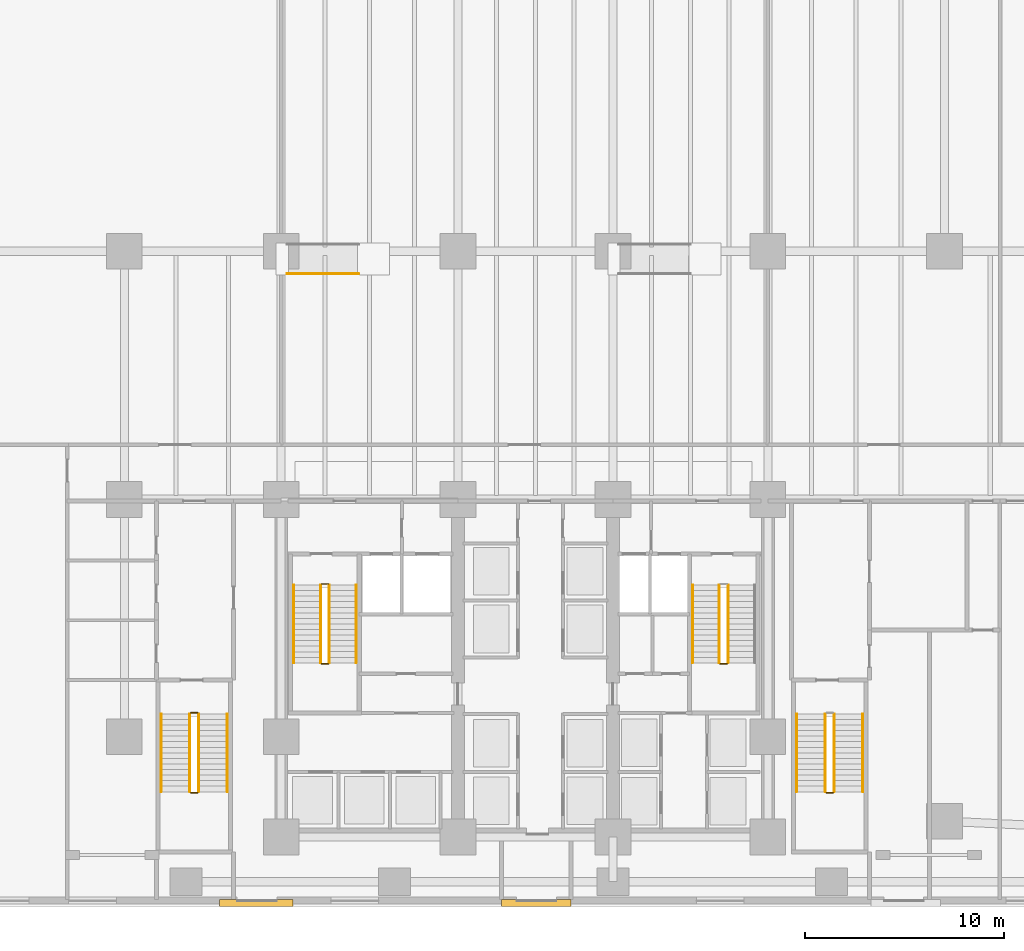
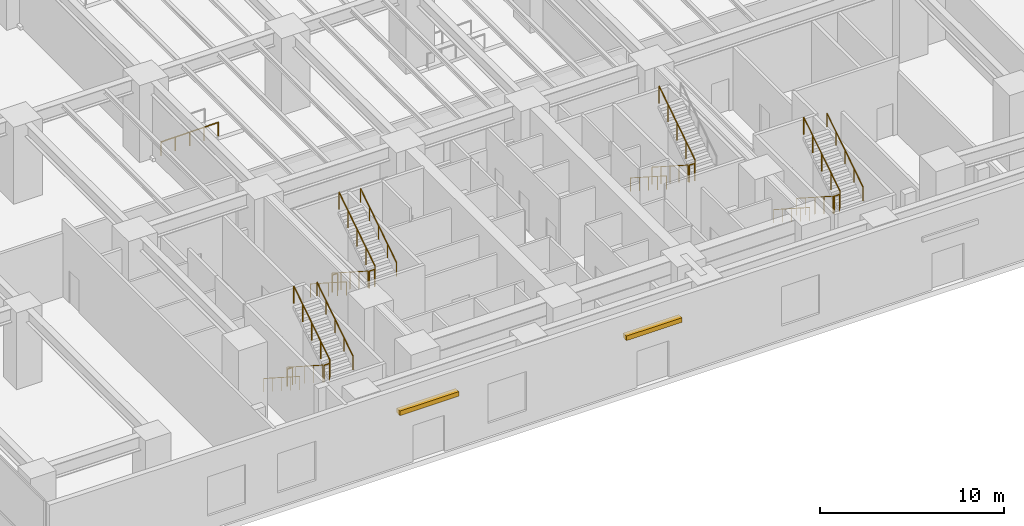
# One storey, part 16 of 19: 22 railings, 2 shading devices.
"""IFC4 building model written with IfcOpenShell, lengths in metres."""

from ifc_helpers import new_model, si_unit, direction, frame, origin, origin_2d, place, context, subcontext, project, spatial, polyline, circle, outline, extrude, material, layer, layer_set, type_object, element, save


model = new_model("IFC4")

# Units and contexts
model_context = context("Model", 3, precision=1e-05, world=origin(), true_north=direction((0.0, 1.0)))
body_context = subcontext(model_context, "Body", "Model", "MODEL_VIEW")
ifc_project = project(units=[si_unit("LENGTHUNIT", "METRE"), si_unit("AREAUNIT", "SQUARE_METRE"), si_unit("VOLUMEUNIT", "CUBIC_METRE"), si_unit("PLANEANGLEUNIT", "RADIAN"), si_unit("MASSUNIT", "GRAM", prefix="KILO")], contexts=[model_context])

# Site, building, storey
site_placement = place(None, origin())
site = spatial("IfcSite", under=ifc_project, at=site_placement, CompositionType="ELEMENT")
building_placement = place(site_placement, origin())
building = spatial("IfcBuilding", under=site, at=building_placement, Name="Qalmaran Belvedere Hotel", CompositionType="ELEMENT")
storey_placement = place(building_placement, origin())
storey = spatial("IfcBuildingStorey", under=building, at=storey_placement, Name="L00", CompositionType="ELEMENT", Elevation=0.0)

# Shading devices
ifc_material_1 = material(Name="Anodised Bronze Aluminium", Category="aluminium")
ifc_layer = layer(ifc_material_1, 0.300048828125, Name="Anodised Bronze Aluminium")
ifc_layer_set = layer_set([ifc_layer], Name="Anodised Bronze Aluminium")
shading_device_type = type_object("IfcShadingDeviceType", Name="CNPY-BRNZ-320", PredefinedType="USERDEFINED", material=ifc_layer_set)
shading_device_1_placement = place(storey_placement, frame((0.0, 0.0, 3.449951171875)))
element("IfcShadingDevice", 1, at=shading_device_1_placement, inside=storey, type_object=shading_device_type, Name="L00 Entrance Canopy 4", ObjectType="CANOPY", PredefinedType="USERDEFINED", context=body_context, shape_type="SweptSolid", body=[
    extrude(outline(polyline([(17.199951171875, 0.0), (20.89990234375, 0.0), (20.89990234375, 0.35009765625), (17.199951171875, 0.35009765625), (17.199951171875, 0.0)])), origin(), (0.0, 0.0, 1.0), 0.300048828125),
])
shading_device_2_placement = place(storey_placement, frame((0.0, 0.0, 3.449951171875)))
element("IfcShadingDevice", 2, at=shading_device_2_placement, inside=storey, type_object=shading_device_type, Name="L00 Entrance Canopy 5", ObjectType="CANOPY", PredefinedType="USERDEFINED", context=body_context, shape_type="SweptSolid", body=[
    extrude(outline(polyline([(31.39990234375, 0.0), (34.89990234375, 0.0), (34.89990234375, 0.35009765625), (31.39990234375, 0.35009765625), (31.39990234375, 0.0)])), origin(), (0.0, 0.0, 1.0), 0.300048828125),
])

# Railings
railing_type_1 = type_object("IfcRailingType", Name="RLG-RAMP-HAND-920", PredefinedType="HANDRAIL", material=ifc_material_1)
railing_1_placement = place(storey_placement, frame((20.60009765625, 31.860107421875, 0.199951171875)))
element("IfcRailing", 3, at=railing_1_placement, inside=storey, type_object=railing_type_1, Name="L00 Ramp Handrail S", PredefinedType="HANDRAIL", context=body_context, shape_type="SweptSolid", body=[
    extrude(circle(Radius=0.02392578125, at=origin_2d()), frame((0.0, 0.0, 0.89599609375), z_axis=(0.999938151687, 0.0, 0.011121726475), x_axis=(0.0, 1.0, 0.0)), (0.0, 0.0, 1.0), 3.60009765625),
    extrude(circle(Radius=0.02099609375, at=origin_2d()), origin(), (0.0, 0.0, 1.0), 0.871826171875),
    extrude(circle(Radius=0.02099609375, at=origin_2d()), frame((0.89990234375, 0.0, 0.010009765625)), (0.0, 0.0, 1.0), 0.871826171875),
    extrude(circle(Radius=0.02099609375, at=origin_2d()), frame((1.7998046875, 0.0, 0.02001953125)), (0.0, 0.0, 1.0), 0.871826171875),
    extrude(circle(Radius=0.02099609375, at=origin_2d()), frame((2.699951171875, 0.0, 0.030029296875)), (0.0, 0.0, 1.0), 0.871826171875),
    extrude(circle(Radius=0.02099609375, at=origin_2d()), frame((3.599853515625, 0.0, 0.0400390625)), (0.0, 0.0, 1.0), 0.871826171875),
])
ifc_material_2 = material(Name="Stainless Steel 1.4401", Category="steel")
railing_type_2 = type_object("IfcRailingType", Name="RLG-STAIR-GUARD-1150", PredefinedType="GUARDRAIL", material=ifc_material_2)
railing_2_placement = place(storey_placement, frame((22.280029296875, 16.18994140625, 0.179931640625)))
element("IfcRailing", 4, at=railing_2_placement, inside=storey, type_object=railing_type_2, Name="L00 ST-1 stair guard 1", PredefinedType="GUARDRAIL", context=body_context, shape_type="SweptSolid", body=[
    extrude(circle(Radius=0.02392578125, at=origin_2d()), frame((0.0, 0.0, 1.1259765625), z_axis=(0.0, -0.841171666519, 0.540768182723), x_axis=(1.0, 0.0, 0.0)), (0.0, 0.0, 1.0), 4.66015625),
    extrude(circle(Radius=0.02099609375, at=origin_2d()), origin(), (0.0, 0.0, 1.0), 1.101806640625),
    extrude(circle(Radius=0.02099609375, at=origin_2d()), frame((0.0, -0.97998046875, 0.6298828125)), (0.0, 0.0, 1.0), 1.101806640625),
    extrude(circle(Radius=0.02099609375, at=origin_2d()), frame((0.0, -1.9599609375, 1.260009765625)), (0.0, 0.0, 1.0), 1.101806640625),
    extrude(circle(Radius=0.02099609375, at=origin_2d()), frame((0.0, -2.93994140625, 1.89013671875)), (0.0, 0.0, 1.0), 1.101806640625),
    extrude(circle(Radius=0.02099609375, at=origin_2d()), frame((0.0, -3.919921875, 2.52001953125)), (0.0, 0.0, 1.0), 1.101806640625),
])
railing_3_placement = place(storey_placement, frame((22.330078125, 12.219970703125, 2.699951171875)))
element("IfcRailing", 5, at=railing_3_placement, inside=storey, type_object=railing_type_2, Name="L00 ST-1 stair guard 2", PredefinedType="GUARDRAIL", context=body_context, shape_type="SweptSolid", body=[
    extrude(circle(Radius=0.02392578125, at=origin_2d()), frame((0.0, 0.0, 1.1259765625), z_axis=(1.0, 0.0, 0.0), x_axis=(0.0, 1.0, 0.0)), (0.0, 0.0, 1.0), 0.33984375),
    extrude(circle(Radius=0.02099609375, at=origin_2d()), origin(), (0.0, 0.0, 1.0), 1.101806640625),
    extrude(circle(Radius=0.02099609375, at=origin_2d()), frame((0.33984375, 0.0, 0.0)), (0.0, 0.0, 1.0), 1.101806640625),
])
railing_4_placement = place(storey_placement, frame((22.719970703125, 12.27001953125, 2.8798828125)))
element("IfcRailing", 6, at=railing_4_placement, inside=storey, type_object=railing_type_2, Name="L00 ST-1 stair guard 3", PredefinedType="GUARDRAIL", context=body_context, shape_type="SweptSolid", body=[
    extrude(circle(Radius=0.02392578125, at=origin_2d()), frame((0.0, 0.0, 1.1259765625), z_axis=(0.0, 0.841171666519, 0.540768182723), x_axis=(-1.0, 0.0, 0.0)), (0.0, 0.0, 1.0), 4.66015625),
    extrude(circle(Radius=0.02099609375, at=origin_2d()), origin(), (0.0, 0.0, 1.0), 1.101806640625),
    extrude(circle(Radius=0.02099609375, at=origin_2d()), frame((0.0, 0.97998046875, 0.6298828125)), (0.0, 0.0, 1.0), 1.101806640625),
    extrude(circle(Radius=0.02099609375, at=origin_2d()), frame((0.0, 1.9599609375, 1.260009765625)), (0.0, 0.0, 1.0), 1.101806640625),
    extrude(circle(Radius=0.02099609375, at=origin_2d()), frame((0.0, 2.93994140625, 1.89013671875)), (0.0, 0.0, 1.0), 1.101806640625),
    extrude(circle(Radius=0.02099609375, at=origin_2d()), frame((0.0, 3.919921875, 2.52001953125)), (0.0, 0.0, 1.0), 1.101806640625),
])
railing_5_placement = place(storey_placement, frame((22.330078125, 16.239990234375, 0.0)))
element("IfcRailing", 7, at=railing_5_placement, inside=storey, type_object=railing_type_2, Name="L00 ST-1 stair guard 4", PredefinedType="GUARDRAIL", context=body_context, shape_type="SweptSolid", body=[
    extrude(circle(Radius=0.02392578125, at=origin_2d()), frame((0.0, 0.0, 1.1259765625), z_axis=(1.0, 0.0, 0.0), x_axis=(0.0, 1.0, 0.0)), (0.0, 0.0, 1.0), 0.33984375),
    extrude(circle(Radius=0.02099609375, at=origin_2d()), origin(), (0.0, 0.0, 1.0), 1.101806640625),
    extrude(circle(Radius=0.02099609375, at=origin_2d()), frame((0.33984375, 0.0, 0.0)), (0.0, 0.0, 1.0), 1.101806640625),
])
railing_6_placement = place(storey_placement, frame((42.360107421875, 16.18994140625, 0.179931640625)))
element("IfcRailing", 8, at=railing_6_placement, inside=storey, type_object=railing_type_2, Name="L00 ST-2 stair guard 1", PredefinedType="GUARDRAIL", context=body_context, shape_type="SweptSolid", body=[
    extrude(circle(Radius=0.02392578125, at=origin_2d()), frame((0.0, 0.0, 1.1259765625), z_axis=(0.0, -0.841171666519, 0.540768182723), x_axis=(1.0, 0.0, 0.0)), (0.0, 0.0, 1.0), 4.66015625),
    extrude(circle(Radius=0.02099609375, at=origin_2d()), origin(), (0.0, 0.0, 1.0), 1.101806640625),
    extrude(circle(Radius=0.02099609375, at=origin_2d()), frame((0.0, -0.97998046875, 0.6298828125)), (0.0, 0.0, 1.0), 1.101806640625),
    extrude(circle(Radius=0.02099609375, at=origin_2d()), frame((0.0, -1.9599609375, 1.260009765625)), (0.0, 0.0, 1.0), 1.101806640625),
    extrude(circle(Radius=0.02099609375, at=origin_2d()), frame((0.0, -2.93994140625, 1.89013671875)), (0.0, 0.0, 1.0), 1.101806640625),
    extrude(circle(Radius=0.02099609375, at=origin_2d()), frame((0.0, -3.919921875, 2.52001953125)), (0.0, 0.0, 1.0), 1.101806640625),
])
railing_7_placement = place(storey_placement, frame((42.409912109375, 12.219970703125, 2.699951171875)))
element("IfcRailing", 9, at=railing_7_placement, inside=storey, type_object=railing_type_2, Name="L00 ST-2 stair guard 2", PredefinedType="GUARDRAIL", context=body_context, shape_type="SweptSolid", body=[
    extrude(circle(Radius=0.02392578125, at=origin_2d()), frame((0.0, 0.0, 1.1259765625), z_axis=(1.0, 0.0, 0.0), x_axis=(0.0, 1.0, 0.0)), (0.0, 0.0, 1.0), 0.340087890625),
    extrude(circle(Radius=0.02099609375, at=origin_2d()), origin(), (0.0, 0.0, 1.0), 1.101806640625),
    extrude(circle(Radius=0.02099609375, at=origin_2d()), frame((0.340087890625, 0.0, 0.0)), (0.0, 0.0, 1.0), 1.101806640625),
])
railing_8_placement = place(storey_placement, frame((42.800048828125, 12.27001953125, 2.8798828125)))
element("IfcRailing", 10, at=railing_8_placement, inside=storey, type_object=railing_type_2, Name="L00 ST-2 stair guard 3", PredefinedType="GUARDRAIL", context=body_context, shape_type="SweptSolid", body=[
    extrude(circle(Radius=0.02392578125, at=origin_2d()), frame((0.0, 0.0, 1.1259765625), z_axis=(0.0, 0.841171666519, 0.540768182723), x_axis=(-1.0, 0.0, 0.0)), (0.0, 0.0, 1.0), 4.66015625),
    extrude(circle(Radius=0.02099609375, at=origin_2d()), origin(), (0.0, 0.0, 1.0), 1.101806640625),
    extrude(circle(Radius=0.02099609375, at=origin_2d()), frame((0.0, 0.97998046875, 0.6298828125)), (0.0, 0.0, 1.0), 1.101806640625),
    extrude(circle(Radius=0.02099609375, at=origin_2d()), frame((0.0, 1.9599609375, 1.260009765625)), (0.0, 0.0, 1.0), 1.101806640625),
    extrude(circle(Radius=0.02099609375, at=origin_2d()), frame((0.0, 2.93994140625, 1.89013671875)), (0.0, 0.0, 1.0), 1.101806640625),
    extrude(circle(Radius=0.02099609375, at=origin_2d()), frame((0.0, 3.919921875, 2.52001953125)), (0.0, 0.0, 1.0), 1.101806640625),
])
railing_9_placement = place(storey_placement, frame((15.699951171875, 9.699951171875, 0.179931640625)))
element("IfcRailing", 11, at=railing_9_placement, inside=storey, type_object=railing_type_2, Name="L00 ST-P1 stair guard 1", PredefinedType="GUARDRAIL", context=body_context, shape_type="SweptSolid", body=[
    extrude(circle(Radius=0.02392578125, at=origin_2d()), frame((0.0, 0.0, 1.1259765625), z_axis=(0.0, -0.841171666519, 0.540768182723), x_axis=(1.0, 0.0, 0.0)), (0.0, 0.0, 1.0), 4.66015625),
    extrude(circle(Radius=0.02099609375, at=origin_2d()), origin(), (0.0, 0.0, 1.0), 1.101806640625),
    extrude(circle(Radius=0.02099609375, at=origin_2d()), frame((0.0, -0.97998046875, 0.6298828125)), (0.0, 0.0, 1.0), 1.101806640625),
    extrude(circle(Radius=0.02099609375, at=origin_2d()), frame((0.0, -1.9599609375, 1.260009765625)), (0.0, 0.0, 1.0), 1.101806640625),
    extrude(circle(Radius=0.02099609375, at=origin_2d()), frame((0.0, -2.93994140625, 1.89013671875)), (0.0, 0.0, 1.0), 1.101806640625),
    extrude(circle(Radius=0.02099609375, at=origin_2d()), frame((0.0, -3.919921875, 2.52001953125)), (0.0, 0.0, 1.0), 1.101806640625),
])
railing_10_placement = place(storey_placement, frame((15.75, 5.72998046875, 2.699951171875)))
element("IfcRailing", 12, at=railing_10_placement, inside=storey, type_object=railing_type_2, Name="L00 ST-P1 stair guard 2", PredefinedType="GUARDRAIL", context=body_context, shape_type="SweptSolid", body=[
    extrude(circle(Radius=0.02392578125, at=origin_2d()), frame((0.0, 0.0, 1.1259765625), z_axis=(1.0, 0.0, 0.0), x_axis=(0.0, 1.0, 0.0)), (0.0, 0.0, 1.0), 0.340087890625),
    extrude(circle(Radius=0.02099609375, at=origin_2d()), origin(), (0.0, 0.0, 1.0), 1.101806640625),
    extrude(circle(Radius=0.02099609375, at=origin_2d()), frame((0.340087890625, 0.0, 0.0)), (0.0, 0.0, 1.0), 1.101806640625),
])
railing_11_placement = place(storey_placement, frame((16.139892578125, 5.780029296875, 2.8798828125)))
element("IfcRailing", 13, at=railing_11_placement, inside=storey, type_object=railing_type_2, Name="L00 ST-P1 stair guard 3", PredefinedType="GUARDRAIL", context=body_context, shape_type="SweptSolid", body=[
    extrude(circle(Radius=0.02392578125, at=origin_2d()), frame((0.0, 0.0, 1.1259765625), z_axis=(0.0, 0.841171666519, 0.540768182723), x_axis=(-1.0, 0.0, 0.0)), (0.0, 0.0, 1.0), 4.66015625),
    extrude(circle(Radius=0.02099609375, at=origin_2d()), origin(), (0.0, 0.0, 1.0), 1.101806640625),
    extrude(circle(Radius=0.02099609375, at=origin_2d()), frame((0.0, 0.97998046875, 0.6298828125)), (0.0, 0.0, 1.0), 1.101806640625),
    extrude(circle(Radius=0.02099609375, at=origin_2d()), frame((0.0, 1.9599609375, 1.260009765625)), (0.0, 0.0, 1.0), 1.101806640625),
    extrude(circle(Radius=0.02099609375, at=origin_2d()), frame((0.0, 2.93994140625, 1.89013671875)), (0.0, 0.0, 1.0), 1.101806640625),
    extrude(circle(Radius=0.02099609375, at=origin_2d()), frame((0.0, 3.919921875, 2.52001953125)), (0.0, 0.0, 1.0), 1.101806640625),
])
railing_12_placement = place(storey_placement, frame((15.75, 9.75, 0.0)))
element("IfcRailing", 14, at=railing_12_placement, inside=storey, type_object=railing_type_2, Name="L00 ST-P1 stair guard 4", PredefinedType="GUARDRAIL", context=body_context, shape_type="SweptSolid", body=[
    extrude(circle(Radius=0.02392578125, at=origin_2d()), frame((0.0, 0.0, 1.1259765625), z_axis=(1.0, 0.0, 0.0), x_axis=(0.0, 1.0, 0.0)), (0.0, 0.0, 1.0), 0.340087890625),
    extrude(circle(Radius=0.02099609375, at=origin_2d()), origin(), (0.0, 0.0, 1.0), 1.101806640625),
    extrude(circle(Radius=0.02099609375, at=origin_2d()), frame((0.340087890625, 0.0, 0.0)), (0.0, 0.0, 1.0), 1.101806640625),
])
railing_13_placement = place(storey_placement, frame((47.699951171875, 9.699951171875, 0.179931640625)))
element("IfcRailing", 15, at=railing_13_placement, inside=storey, type_object=railing_type_2, Name="L00 ST-P2 stair guard 1", PredefinedType="GUARDRAIL", context=body_context, shape_type="SweptSolid", body=[
    extrude(circle(Radius=0.02392578125, at=origin_2d()), frame((0.0, 0.0, 1.1259765625), z_axis=(0.0, -0.841171666519, 0.540768182723), x_axis=(1.0, 0.0, 0.0)), (0.0, 0.0, 1.0), 4.66015625),
    extrude(circle(Radius=0.02099609375, at=origin_2d()), origin(), (0.0, 0.0, 1.0), 1.101806640625),
    extrude(circle(Radius=0.02099609375, at=origin_2d()), frame((0.0, -0.97998046875, 0.6298828125)), (0.0, 0.0, 1.0), 1.101806640625),
    extrude(circle(Radius=0.02099609375, at=origin_2d()), frame((0.0, -1.9599609375, 1.260009765625)), (0.0, 0.0, 1.0), 1.101806640625),
    extrude(circle(Radius=0.02099609375, at=origin_2d()), frame((0.0, -2.93994140625, 1.89013671875)), (0.0, 0.0, 1.0), 1.101806640625),
    extrude(circle(Radius=0.02099609375, at=origin_2d()), frame((0.0, -3.919921875, 2.52001953125)), (0.0, 0.0, 1.0), 1.101806640625),
])
railing_14_placement = place(storey_placement, frame((47.75, 5.72998046875, 2.699951171875)))
element("IfcRailing", 16, at=railing_14_placement, inside=storey, type_object=railing_type_2, Name="L00 ST-P2 stair guard 2", PredefinedType="GUARDRAIL", context=body_context, shape_type="SweptSolid", body=[
    extrude(circle(Radius=0.02392578125, at=origin_2d()), frame((0.0, 0.0, 1.1259765625), z_axis=(1.0, 0.0, 0.0), x_axis=(0.0, 1.0, 0.0)), (0.0, 0.0, 1.0), 0.340087890625),
    extrude(circle(Radius=0.02099609375, at=origin_2d()), origin(), (0.0, 0.0, 1.0), 1.101806640625),
    extrude(circle(Radius=0.02099609375, at=origin_2d()), frame((0.340087890625, 0.0, 0.0)), (0.0, 0.0, 1.0), 1.101806640625),
])
railing_15_placement = place(storey_placement, frame((48.139892578125, 5.780029296875, 2.8798828125)))
element("IfcRailing", 17, at=railing_15_placement, inside=storey, type_object=railing_type_2, Name="L00 ST-P2 stair guard 3", PredefinedType="GUARDRAIL", context=body_context, shape_type="SweptSolid", body=[
    extrude(circle(Radius=0.02392578125, at=origin_2d()), frame((0.0, 0.0, 1.1259765625), z_axis=(0.0, 0.841171666519, 0.540768182723), x_axis=(-1.0, 0.0, 0.0)), (0.0, 0.0, 1.0), 4.66015625),
    extrude(circle(Radius=0.02099609375, at=origin_2d()), origin(), (0.0, 0.0, 1.0), 1.101806640625),
    extrude(circle(Radius=0.02099609375, at=origin_2d()), frame((0.0, 0.97998046875, 0.6298828125)), (0.0, 0.0, 1.0), 1.101806640625),
    extrude(circle(Radius=0.02099609375, at=origin_2d()), frame((0.0, 1.9599609375, 1.260009765625)), (0.0, 0.0, 1.0), 1.101806640625),
    extrude(circle(Radius=0.02099609375, at=origin_2d()), frame((0.0, 2.93994140625, 1.89013671875)), (0.0, 0.0, 1.0), 1.101806640625),
    extrude(circle(Radius=0.02099609375, at=origin_2d()), frame((0.0, 3.919921875, 2.52001953125)), (0.0, 0.0, 1.0), 1.101806640625),
])
railing_type_3 = type_object("IfcRailingType", Name="RLG-STAIR-HAND-910", PredefinedType="HANDRAIL", material=ifc_material_2)
railing_16_placement = place(storey_placement, frame((20.929931640625, 16.18994140625, 0.179931640625)))
element("IfcRailing", 18, at=railing_16_placement, inside=storey, type_object=railing_type_3, Name="L00 ST-1 stair handrail 1", PredefinedType="HANDRAIL", context=body_context, shape_type="SweptSolid", body=[
    extrude(circle(Radius=0.02392578125, at=origin_2d()), frame((0.0, 0.0, 0.8857421875), z_axis=(0.0, -0.841171666519, 0.540768182723), x_axis=(1.0, 0.0, 0.0)), (0.0, 0.0, 1.0), 4.66015625),
    extrude(circle(Radius=0.02099609375, at=origin_2d()), origin(), (0.0, 0.0, 1.0), 0.86181640625),
    extrude(circle(Radius=0.02099609375, at=origin_2d()), frame((0.0, -0.97998046875, 0.6298828125)), (0.0, 0.0, 1.0), 0.86181640625),
    extrude(circle(Radius=0.02099609375, at=origin_2d()), frame((0.0, -1.9599609375, 1.260009765625)), (0.0, 0.0, 1.0), 0.86181640625),
    extrude(circle(Radius=0.02099609375, at=origin_2d()), frame((0.0, -2.93994140625, 1.89013671875)), (0.0, 0.0, 1.0), 0.86181640625),
    extrude(circle(Radius=0.02099609375, at=origin_2d()), frame((0.0, -3.919921875, 2.52001953125)), (0.0, 0.0, 1.0), 0.86181640625),
])
railing_17_placement = place(storey_placement, frame((24.070068359375, 12.27001953125, 2.8798828125)))
element("IfcRailing", 19, at=railing_17_placement, inside=storey, type_object=railing_type_3, Name="L00 ST-1 stair handrail 2", PredefinedType="HANDRAIL", context=body_context, shape_type="SweptSolid", body=[
    extrude(circle(Radius=0.02392578125, at=origin_2d()), frame((0.0, 0.0, 0.8857421875), z_axis=(0.0, 0.841171666519, 0.540768182723), x_axis=(-1.0, 0.0, 0.0)), (0.0, 0.0, 1.0), 4.66015625),
    extrude(circle(Radius=0.02099609375, at=origin_2d()), origin(), (0.0, 0.0, 1.0), 0.86181640625),
    extrude(circle(Radius=0.02099609375, at=origin_2d()), frame((0.0, 0.97998046875, 0.6298828125)), (0.0, 0.0, 1.0), 0.86181640625),
    extrude(circle(Radius=0.02099609375, at=origin_2d()), frame((0.0, 1.9599609375, 1.260009765625)), (0.0, 0.0, 1.0), 0.86181640625),
    extrude(circle(Radius=0.02099609375, at=origin_2d()), frame((0.0, 2.93994140625, 1.89013671875)), (0.0, 0.0, 1.0), 0.86181640625),
    extrude(circle(Radius=0.02099609375, at=origin_2d()), frame((0.0, 3.919921875, 2.52001953125)), (0.0, 0.0, 1.0), 0.86181640625),
])
for number, where, name in (
    (20, (41.010009765625, 16.18994140625, 0.179931640625), "L00 ST-2 stair handrail 1"),
    (21, (14.25, 9.699951171875, 0.179931640625), "L00 ST-P1 stair handrail 1"),
):
    element("IfcRailing", number, at=place(storey_placement, frame(where)), inside=storey, type_object=railing_type_3, Name=name, PredefinedType="HANDRAIL", context=body_context, shape_type="SweptSolid", body=[
        extrude(circle(Radius=0.02392578125, at=origin_2d()), frame((0.0, 0.0, 0.8857421875), z_axis=(0.0, -0.841171666519, 0.540768182723), x_axis=(1.0, 0.0, 0.0)), (0.0, 0.0, 1.0), 4.66015625),
        extrude(circle(Radius=0.02099609375, at=origin_2d()), origin(), (0.0, 0.0, 1.0), 0.86181640625),
        extrude(circle(Radius=0.02099609375, at=origin_2d()), frame((0.0, -0.97998046875, 0.6298828125)), (0.0, 0.0, 1.0), 0.86181640625),
        extrude(circle(Radius=0.02099609375, at=origin_2d()), frame((0.0, -1.9599609375, 1.260009765625)), (0.0, 0.0, 1.0), 0.86181640625),
        extrude(circle(Radius=0.02099609375, at=origin_2d()), frame((0.0, -2.93994140625, 1.89013671875)), (0.0, 0.0, 1.0), 0.86181640625),
        extrude(circle(Radius=0.02099609375, at=origin_2d()), frame((0.0, -3.919921875, 2.52001953125)), (0.0, 0.0, 1.0), 0.86181640625),
    ])
railing_18_placement = place(storey_placement, frame((17.590087890625, 5.780029296875, 2.8798828125)))
element("IfcRailing", 22, at=railing_18_placement, inside=storey, type_object=railing_type_3, Name="L00 ST-P1 stair handrail 2", PredefinedType="HANDRAIL", context=body_context, shape_type="SweptSolid", body=[
    extrude(circle(Radius=0.02392578125, at=origin_2d()), frame((0.0, 0.0, 0.8857421875), z_axis=(0.0, 0.841171666519, 0.540768182723), x_axis=(-1.0, 0.0, 0.0)), (0.0, 0.0, 1.0), 4.66015625),
    extrude(circle(Radius=0.02099609375, at=origin_2d()), origin(), (0.0, 0.0, 1.0), 0.86181640625),
    extrude(circle(Radius=0.02099609375, at=origin_2d()), frame((0.0, 0.97998046875, 0.6298828125)), (0.0, 0.0, 1.0), 0.86181640625),
    extrude(circle(Radius=0.02099609375, at=origin_2d()), frame((0.0, 1.9599609375, 1.260009765625)), (0.0, 0.0, 1.0), 0.86181640625),
    extrude(circle(Radius=0.02099609375, at=origin_2d()), frame((0.0, 2.93994140625, 1.89013671875)), (0.0, 0.0, 1.0), 0.86181640625),
    extrude(circle(Radius=0.02099609375, at=origin_2d()), frame((0.0, 3.919921875, 2.52001953125)), (0.0, 0.0, 1.0), 0.86181640625),
])
railing_19_placement = place(storey_placement, frame((46.25, 9.699951171875, 0.179931640625)))
element("IfcRailing", 23, at=railing_19_placement, inside=storey, type_object=railing_type_3, Name="L00 ST-P2 stair handrail 1", PredefinedType="HANDRAIL", context=body_context, shape_type="SweptSolid", body=[
    extrude(circle(Radius=0.02392578125, at=origin_2d()), frame((0.0, 0.0, 0.8857421875), z_axis=(0.0, -0.841171666519, 0.540768182723), x_axis=(1.0, 0.0, 0.0)), (0.0, 0.0, 1.0), 4.66015625),
    extrude(circle(Radius=0.02099609375, at=origin_2d()), origin(), (0.0, 0.0, 1.0), 0.86181640625),
    extrude(circle(Radius=0.02099609375, at=origin_2d()), frame((0.0, -0.97998046875, 0.6298828125)), (0.0, 0.0, 1.0), 0.86181640625),
    extrude(circle(Radius=0.02099609375, at=origin_2d()), frame((0.0, -1.9599609375, 1.260009765625)), (0.0, 0.0, 1.0), 0.86181640625),
    extrude(circle(Radius=0.02099609375, at=origin_2d()), frame((0.0, -2.93994140625, 1.89013671875)), (0.0, 0.0, 1.0), 0.86181640625),
    extrude(circle(Radius=0.02099609375, at=origin_2d()), frame((0.0, -3.919921875, 2.52001953125)), (0.0, 0.0, 1.0), 0.86181640625),
])
railing_20_placement = place(storey_placement, frame((49.590087890625, 5.780029296875, 2.8798828125)))
element("IfcRailing", 24, at=railing_20_placement, inside=storey, type_object=railing_type_3, Name="L00 ST-P2 stair handrail 2", PredefinedType="HANDRAIL", context=body_context, shape_type="SweptSolid", body=[
    extrude(circle(Radius=0.02392578125, at=origin_2d()), frame((0.0, 0.0, 0.8857421875), z_axis=(0.0, 0.841171666519, 0.540768182723), x_axis=(-1.0, 0.0, 0.0)), (0.0, 0.0, 1.0), 4.66015625),
    extrude(circle(Radius=0.02099609375, at=origin_2d()), origin(), (0.0, 0.0, 1.0), 0.86181640625),
    extrude(circle(Radius=0.02099609375, at=origin_2d()), frame((0.0, 0.97998046875, 0.6298828125)), (0.0, 0.0, 1.0), 0.86181640625),
    extrude(circle(Radius=0.02099609375, at=origin_2d()), frame((0.0, 1.9599609375, 1.260009765625)), (0.0, 0.0, 1.0), 0.86181640625),
    extrude(circle(Radius=0.02099609375, at=origin_2d()), frame((0.0, 2.93994140625, 1.89013671875)), (0.0, 0.0, 1.0), 0.86181640625),
    extrude(circle(Radius=0.02099609375, at=origin_2d()), frame((0.0, 3.919921875, 2.52001953125)), (0.0, 0.0, 1.0), 0.86181640625),
])

save(model, "model.ifc")
